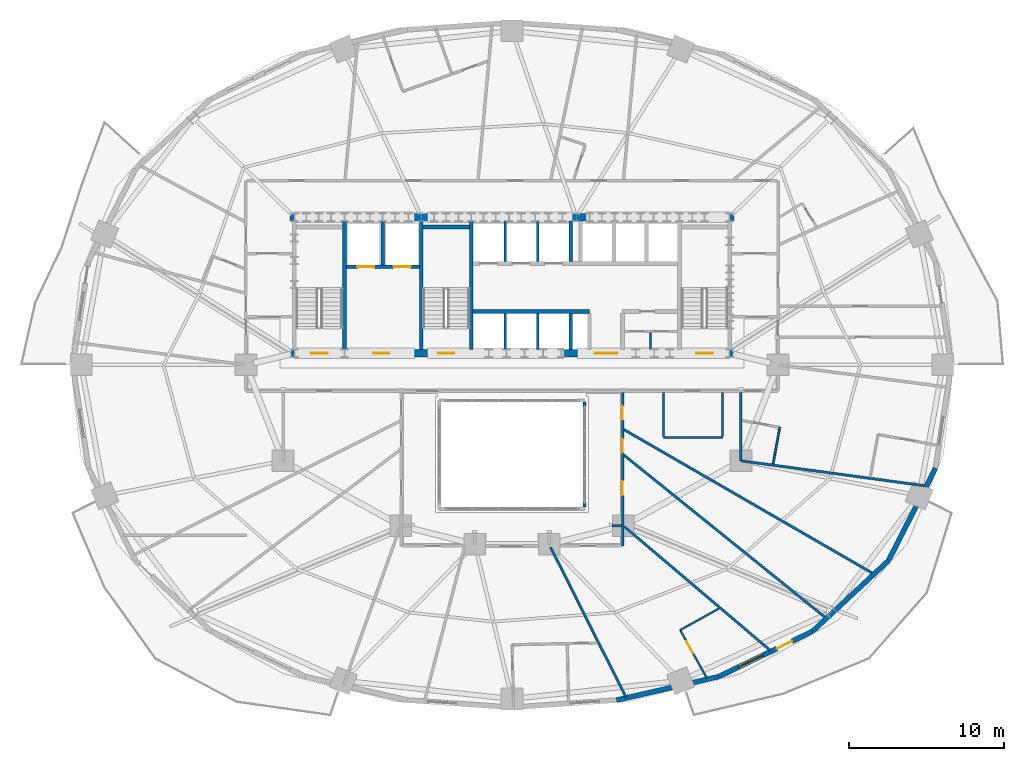
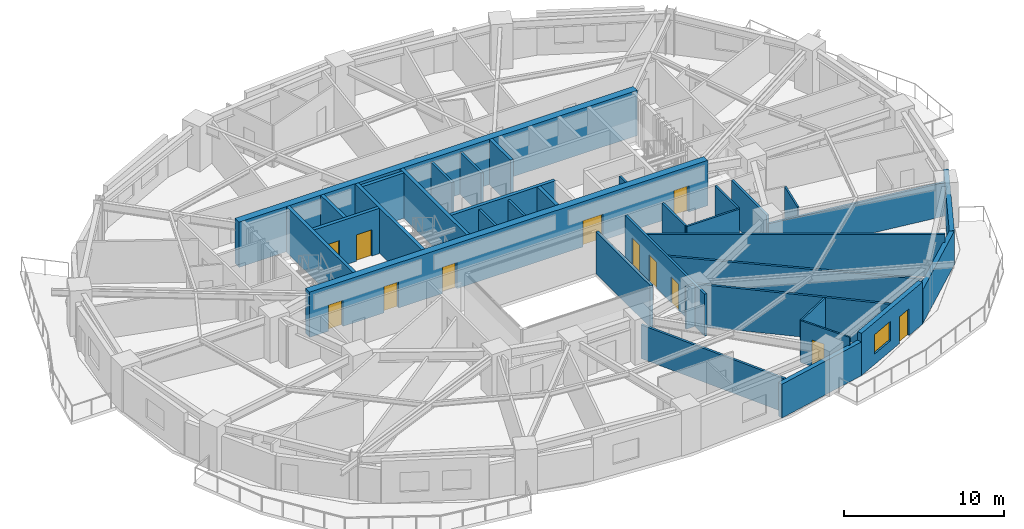
# One storey, part 9 of 15: 35 walls, 12 doors, 1 window, 13 openings.
"""IFC4 building model written with IfcOpenShell, lengths in metres."""

from ifc_helpers import new_model, si_unit, direction, frame, frame_2d, origin, place, context, subcontext, project, spatial, rectangle, extrude, material, layer, layer_set, type_object, element, fill, save


model = new_model("IFC4")

# Units and contexts
model_context = context("Model", 3, precision=1e-05, world=origin(), true_north=direction((0.0, 1.0)))
body_context = subcontext(model_context, "Body", "Model", "MODEL_VIEW")
ifc_project = project(units=[si_unit("LENGTHUNIT", "METRE"), si_unit("AREAUNIT", "SQUARE_METRE"), si_unit("VOLUMEUNIT", "CUBIC_METRE"), si_unit("PLANEANGLEUNIT", "RADIAN"), si_unit("MASSUNIT", "GRAM", prefix="KILO")], contexts=[model_context])

# Site, building, storey
site_placement = place(None, origin())
site = spatial("IfcSite", under=ifc_project, at=site_placement, CompositionType="ELEMENT")
building_placement = place(site_placement, origin())
building = spatial("IfcBuilding", under=site, at=building_placement, Name="Haldorwick Loom Tower", CompositionType="ELEMENT")
storey_placement = place(building_placement, frame((0.0, 0.0, 81.800048828125)))
storey = spatial("IfcBuildingStorey", under=building, at=storey_placement, Name="L21", CompositionType="ELEMENT", Elevation=81.800048828125)

# Wall
ifc_material_1 = material(Name="Pressed Clay Face Brick and Insulated Masonry Backup Assembly", Category="masonry")
ifc_layer_1 = layer(ifc_material_1, 0.320068359375, Name="Pressed Clay Face Brick and Insulated Masonry Backup Assembly", Category="masonry")
ifc_layer_set_1 = layer_set([ifc_layer_1], Name="Pressed Clay Face Brick and Insulated Masonry Backup Assembly")
wall_type_1 = type_object("IfcWallType", Name="ARC-WL-EXT320", PredefinedType="STANDARD", material=ifc_layer_set_1)
wall_1_placement = place(storey_placement, frame((42.757080078125, 4.325439453125, 0.0), z_axis=(0.0, 0.0, 1.0), x_axis=(0.974584177714, 0.224021607329, 0.0)))
element("IfcWall", 1, at=wall_1_placement, inside=storey, type_object=wall_type_1, Name="L21 Brick Pier and Spandrel Wall 20", PredefinedType="STANDARD", context=body_context, shape_type="SweptSolid", body=[
    extrude(rectangle(XDim=6.767822265625, YDim=0.320068359375, at=frame_2d((3.3837890625, 0.0))), origin(), (0.0, 0.0, 1.0), 2.56884765625),
])

# Wall, openings, door, window
wall_2_placement = place(storey_placement, frame((49.352783203125, 5.841552734375, 0.0), z_axis=(0.0, 0.0, 1.0), x_axis=(0.900510094661, 0.434835106004, 0.0)))
wall_2 = element("IfcWall", 2, at=wall_2_placement, inside=storey, type_object=wall_type_1, Name="L21 Brick Pier and Spandrel Wall 21", PredefinedType="STANDARD", context=body_context, shape_type="SweptSolid", body=[
    extrude(rectangle(XDim=6.744873046875, YDim=0.320068359375, at=frame_2d((3.37255859375, 0.0))), origin(), (0.0, 0.0, 1.0), 3.2099609375),
])
opening_1_placement = place(wall_2_placement, frame((4.18359375, 0.0, 0.0)))
opening_1 = element("IfcOpeningElement", 3, at=opening_1_placement, cuts=wall_2, Name="Opening D-BL11", PredefinedType="OPENING", context=body_context, shape_type="SweptSolid", body=[
    extrude(rectangle(XDim=1.080078125, YDim=2.0400390625, at=frame_2d((0.5400390625, 1.02001953125))), frame((0.0, 0.169921875, 0.0), z_axis=(0.0, -1.0, 0.0), x_axis=(1.0, 0.0, 0.0)), (0.0, 0.0, 1.0), 0.340087890625),
])
opening_2_placement = place(wall_2_placement, frame((1.421142578125, 0.0, 0.800048828125)))
opening_2 = element("IfcOpeningElement", 4, at=opening_2_placement, cuts=wall_2, Name="Opening W-01", PredefinedType="OPENING", context=body_context, shape_type="SweptSolid", body=[
    extrude(rectangle(XDim=1.800048828125, YDim=1.47998046875, at=frame_2d((0.89990234375, 0.739990234375))), frame((0.0, 0.169921875, 0.0), z_axis=(0.0, -1.0, 0.0), x_axis=(1.0, 0.0, 0.0)), (0.0, 0.0, 1.0), 0.340087890625),
])
ifc_material_2 = material(Name="Thermally Broken Anodized Aluminium Curtain Wall Framing", Category="aluminium")
door_type_1 = type_object("IfcDoorType", Name="ARC-DR-BAL110", OperationType="NOTDEFINED", PredefinedType="DOOR", material=ifc_material_2)
door_1_placement = place(opening_1_placement, origin())
door_1 = element("IfcDoor", 5, at=door_1_placement, inside=storey, type_object=door_type_1, Name="L21 Outdoor Terrace Door SLB-L21-BAL_SE", OperationType="SINGLE_SWING_LEFT", OverallHeight=2.0400390625, OverallWidth=1.080078125, PredefinedType="DOOR", context=body_context, shape_type="SweptSolid", body=[
    extrude(rectangle(XDim=1.080078125, YDim=2.0400390625, at=frame_2d((0.5400390625, 1.02001953125))), frame((0.0, 0.02490234375, 0.0), z_axis=(0.0, -1.0, 0.0), x_axis=(1.0, 0.0, 0.0)), (0.0, 0.0, 1.0), 0.050048828125),
])
fill(opening_1, door_1)
ifc_material_3 = material(Name="Triple-Glazed Low-E Argon Insulated Glazing Unit", Category="glass")
window_type = type_object("IfcWindowType", Name="ARC-WIN-W180", PartitioningType="SINGLE_PANEL", PredefinedType="WINDOW", material=ifc_material_3)
window_placement = place(opening_2_placement, origin())
window = element("IfcWindow", 6, at=window_placement, inside=storey, type_object=window_type, Name="L21 Deep-Set Zone 7A Window 21", OverallHeight=1.47998046875, OverallWidth=1.800048828125, PartitioningType="SINGLE_PANEL", PredefinedType="WINDOW", context=body_context, shape_type="SweptSolid", body=[
    extrude(rectangle(XDim=1.800048828125, YDim=1.47998046875, at=frame_2d((0.89990234375, 0.739990234375))), frame((0.0, 0.030029296875, 0.0), z_axis=(0.0, -1.0, 0.0), x_axis=(1.0, 0.0, 0.0)), (0.0, 0.0, 1.0), 0.06005859375),
])
fill(opening_2, window)

# Walls
wall_3_placement = place(storey_placement, frame((55.426513671875, 8.7744140625, 0.0), z_axis=(0.0, 0.0, 1.0), x_axis=(0.732137360086, 0.681157020052, 0.0)))
element("IfcWall", 7, at=wall_3_placement, inside=storey, type_object=wall_type_1, Name="L21 Brick Pier and Spandrel Wall 22", PredefinedType="STANDARD", context=body_context, shape_type="SweptSolid", body=[
    extrude(rectangle(XDim=6.709228515625, YDim=0.320068359375, at=frame_2d((3.3544921875, 0.0))), origin(), (0.0, 0.0, 1.0), 2.56884765625),
])
wall_4_placement = place(storey_placement, frame((60.338623046875, 13.344482421875, 0.0), z_axis=(0.0, 0.0, 1.0), x_axis=(0.453374078001, 0.89132033826, 0.0)))
element("IfcWall", 8, at=wall_4_placement, inside=storey, type_object=wall_type_1, Name="L21 Brick Pier and Spandrel Wall 23", PredefinedType="STANDARD", context=body_context, shape_type="SweptSolid", body=[
    extrude(rectangle(XDim=6.709716796875, YDim=0.320068359375, at=frame_2d((3.35498046875, 0.0))), origin(), (0.0, 0.0, 1.0), 2.56884765625),
])

# Wall, openings, doors
ifc_material_4 = material(Name="Fire-Rated Type X Gypsum Stud Assembly EI 60")
ifc_layer_2 = layer(ifc_material_4, 0.159912109375, Name="Fire-Rated Type X Gypsum Stud Assembly EI 60")
ifc_layer_set_2 = layer_set([ifc_layer_2], Name="Fire-Rated Type X Gypsum Stud Assembly EI 60")
wall_type_2 = type_object("IfcWallType", Name="ARC-WL-FIRE160", PredefinedType="PARTITIONING", material=ifc_layer_set_2)
wall_5_placement = place(storey_placement, frame((43.14990234375, 14.300048828125, 0.0), z_axis=(0.0, 0.0, 1.0), x_axis=(0.0, 1.0, 0.0)))
wall_5 = element("IfcWall", 9, at=wall_5_placement, inside=storey, type_object=wall_type_2, Name="L21 Residential Fire Partition L21-CR-AE", PredefinedType="PARTITIONING", context=body_context, shape_type="SweptSolid", body=[
    extrude(rectangle(XDim=9.9169921875, YDim=0.159912109375, at=frame_2d((4.95849609375, 0.0))), origin(), (0.0, 0.0, 1.0), 3.195068359375),
])
opening_3_placement = place(wall_5_placement, frame((3.27880859375, 0.0, 0.0)))
opening_3 = element("IfcOpeningElement", 10, at=opening_3_placement, cuts=wall_5, Name="Opening D-FD60A", PredefinedType="OPENING", context=body_context, shape_type="SweptSolid", body=[
    extrude(rectangle(XDim=0.89990234375, YDim=2.0, at=frame_2d((0.449951171875, 1.0))), frame((0.0, 0.08984375, 0.0), z_axis=(0.0, -1.0, 0.0), x_axis=(1.0, 0.0, 0.0)), (0.0, 0.0, 1.0), 0.179931640625),
])
opening_4_placement = place(wall_5_placement, frame((8.144775390625, 0.0, 0.0)))
opening_4 = element("IfcOpeningElement", 11, at=opening_4_placement, cuts=wall_5, Name="Opening D-FD60A", PredefinedType="OPENING", context=body_context, shape_type="SweptSolid", body=[
    extrude(rectangle(XDim=0.89990234375, YDim=2.0, at=frame_2d((0.449951171875, 1.0))), frame((0.0, 0.08984375, 0.0), z_axis=(0.0, -1.0, 0.0), x_axis=(1.0, 0.0, 0.0)), (0.0, 0.0, 1.0), 0.179931640625),
])
opening_5_placement = place(wall_5_placement, frame((6.021728515625, 0.0, 0.0)))
opening_5 = element("IfcOpeningElement", 12, at=opening_5_placement, cuts=wall_5, Name="Opening D-FD60A", PredefinedType="OPENING", context=body_context, shape_type="SweptSolid", body=[
    extrude(rectangle(XDim=0.89990234375, YDim=2.0, at=frame_2d((0.449951171875, 1.0))), frame((0.0, 0.08984375, 0.0), z_axis=(0.0, -1.0, 0.0), x_axis=(1.0, 0.0, 0.0)), (0.0, 0.0, 1.0), 0.179931640625),
])
ifc_material_5 = material(Name="Hollow Steel Fire Door Assembly", Category="steel")
door_type_2 = type_object("IfcDoorType", Name="ARC-DR-FD60-90", OperationType="NOTDEFINED", PredefinedType="DOOR", material=ifc_material_5)
door_2_placement = place(opening_3_placement, origin())
door_2 = element("IfcDoor", 13, at=door_2_placement, inside=storey, type_object=door_type_2, Name="L21 L21 South Atrium Corridor to Shared Resident Dining Hall 9 Door", OperationType="SINGLE_SWING_RIGHT", OverallHeight=2.0, OverallWidth=0.89990234375, PredefinedType="DOOR", context=body_context, shape_type="SweptSolid", body=[
    extrude(rectangle(XDim=0.89990234375, YDim=2.0, at=frame_2d((0.449951171875, 1.0))), frame((0.0, 0.02490234375, 0.0), z_axis=(0.0, -1.0, 0.0), x_axis=(1.0, 0.0, 0.0)), (0.0, 0.0, 1.0), 0.050048828125),
])
fill(opening_3, door_2)
door_3_placement = place(opening_4_placement, origin())
door_3 = element("IfcDoor", 14, at=door_3_placement, inside=storey, type_object=door_type_2, Name="L21 L21 South Atrium Corridor to Co-Working Office 2 Door", OperationType="SINGLE_SWING_RIGHT", OverallHeight=2.0, OverallWidth=0.89990234375, PredefinedType="DOOR", context=body_context, shape_type="SweptSolid", body=[
    extrude(rectangle(XDim=0.89990234375, YDim=2.0, at=frame_2d((0.449951171875, 1.0))), frame((0.0, 0.02490234375, 0.0), z_axis=(0.0, -1.0, 0.0), x_axis=(1.0, 0.0, 0.0)), (0.0, 0.0, 1.0), 0.050048828125),
])
fill(opening_4, door_3)
door_4_placement = place(opening_5_placement, origin())
door_4 = element("IfcDoor", 15, at=door_4_placement, inside=storey, type_object=door_type_2, Name="L21 L21 South Atrium Corridor to Shared Resident Dining Hall 13 Door", OperationType="SINGLE_SWING_LEFT", OverallHeight=2.0, OverallWidth=0.89990234375, PredefinedType="DOOR", context=body_context, shape_type="SweptSolid", body=[
    extrude(rectangle(XDim=0.89990234375, YDim=2.0, at=frame_2d((0.449951171875, 1.0))), frame((0.0, 0.02490234375, 0.0), z_axis=(0.0, -1.0, 0.0), x_axis=(1.0, 0.0, 0.0)), (0.0, 0.0, 1.0), 0.050048828125),
])
fill(opening_5, door_4)

# Walls
wall_6_placement = place(storey_placement, frame((50.800048828125, 19.800048828125, 0.0), z_axis=(0.0, 0.0, 1.0), x_axis=(0.990914409047, -0.13449399222, 0.0)))
element("IfcWall", 16, at=wall_6_placement, inside=storey, type_object=wall_type_2, Name="L21 Residential Fire Partition L21-ICR-03", PredefinedType="PARTITIONING", context=body_context, shape_type="SweptSolid", body=[
    extrude(rectangle(XDim=12.03515625, YDim=0.159912109375, at=frame_2d((6.017578125, 0.0))), origin(), (0.0, 0.0, 1.0), 2.56787109375),
])
wall_7_placement = place(storey_placement, frame((43.23291015625, 15.572021484375, 0.0), z_axis=(0.0, 0.0, 1.0), x_axis=(0.762606935213, -0.646862166435, 0.0)))
element("IfcWall", 17, at=wall_7_placement, inside=storey, type_object=wall_type_2, Name="L21 Residential Fire Partition L21-ICR-05", PredefinedType="PARTITIONING", context=body_context, shape_type="SweptSolid", body=[
    extrude(rectangle(XDim=12.42578125, YDim=0.159912109375, at=frame_2d((6.212890625, 0.0))), origin(), (0.0, 0.0, 1.0), 3.195068359375),
])
wall_8_placement = place(storey_placement, frame((38.491943359375, 14.217041015625, 0.0), z_axis=(0.0, 0.0, 1.0), x_axis=(0.449158251696, -0.893452217488, 0.0)))
element("IfcWall", 18, at=wall_8_placement, inside=storey, type_object=wall_type_2, Name="L21 Residential Fire Partition L21-ICR-07", PredefinedType="PARTITIONING", context=body_context, shape_type="SweptSolid", body=[
    extrude(rectangle(XDim=10.841064453125, YDim=0.159912109375, at=frame_2d((5.42041015625, 0.0))), origin(), (0.0, 0.0, 1.0), 2.56787109375),
])
wall_9_placement = place(storey_placement, frame((50.800048828125, 24.217041015625, 0.0), z_axis=(0.0, 0.0, 1.0), x_axis=(0.0, -1.0, 0.0)))
element("IfcWall", 19, at=wall_9_placement, inside=storey, type_object=wall_type_2, Name="L21 Residential Fire Partition L21-ICA-02", PredefinedType="PARTITIONING", context=body_context, shape_type="SweptSolid", body=[
    extrude(rectangle(XDim=4.4169921875, YDim=0.159912109375, at=frame_2d((2.20849609375, 0.0))), origin(), (0.0, 0.0, 1.0), 3.195068359375),
])
wall_10_placement = place(storey_placement, frame((42.449951171875, 15.60009765625, 0.0), z_axis=(0.0, 0.0, 1.0), x_axis=(1.0, 0.0, 0.0)))
element("IfcWall", 20, at=wall_10_placement, inside=storey, type_object=wall_type_2, Name="L21 Residential Fire Partition L21-ICA-04", PredefinedType="PARTITIONING", context=body_context, shape_type="SweptSolid", body=[
    extrude(rectangle(XDim=0.616943359375, YDim=0.159912109375, at=frame_2d((0.30859375, 0.0))), origin(), (0.0, 0.0, 1.0), 3.195068359375),
])
wall_11_placement = place(storey_placement, frame((43.23291015625, 21.82080078125, 0.0), z_axis=(0.0, 0.0, 1.0), x_axis=(0.865844235813, -0.500313660927, 0.0)))
element("IfcWall", 21, at=wall_11_placement, inside=storey, type_object=wall_type_2, Name="L21 Suite Split Wall", PredefinedType="PARTITIONING", context=body_context, shape_type="SweptSolid", body=[
    extrude(rectangle(XDim=18.60986328125, YDim=0.159912109375, at=frame_2d((9.304931640625, 0.0))), origin(), (0.0, 0.0, 1.0), 3.195068359375),
])
wall_12_placement = place(storey_placement, frame((43.23291015625, 20.16943359375, 0.0), z_axis=(0.0, 0.0, 1.0), x_axis=(0.77856047963, -0.627569581447, 0.0)))
element("IfcWall", 22, at=wall_12_placement, inside=storey, type_object=wall_type_2, Name="L21 Suite Split Wall", PredefinedType="PARTITIONING", context=body_context, shape_type="SweptSolid", body=[
    extrude(rectangle(XDim=16.754638671875, YDim=0.159912109375, at=frame_2d((8.37744140625, 0.0))), origin(), (0.0, 0.0, 1.0), 2.56787109375),
])
ifc_material_6 = material(Name="Fire-Rated Type X Gypsum Stud Assembly EI 120")
ifc_layer_3 = layer(ifc_material_6, 0.199951171875, Name="Fire-Rated Type X Gypsum Stud Assembly EI 120")
ifc_layer_set_3 = layer_set([ifc_layer_3], Name="Fire-Rated Type X Gypsum Stud Assembly EI 120")
wall_type_3 = type_object("IfcWallType", Name="ARC-WL-FIRE200", PredefinedType="PARTITIONING", material=ifc_layer_set_3)
wall_13_placement = place(storey_placement, frame((40.699951171875, 23.596923828125, 0.0), z_axis=(0.0, 0.0, 1.0), x_axis=(0.0, -1.0, 0.0)))
element("IfcWall", 23, at=wall_13_placement, inside=storey, type_object=wall_type_3, Name="L21 Atrium Fire Enclosure Wall E", PredefinedType="PARTITIONING", context=body_context, shape_type="SweptSolid", body=[
    extrude(rectangle(XDim=6.7939453125, YDim=0.199951171875, at=frame_2d((3.39697265625, 0.0))), origin(), (0.0, 0.0, 1.0), 3.195068359375),
])
ifc_material_7 = material(Name="Acoustic Gypsum Stud Assembly STC 55")
ifc_layer_4 = layer(ifc_material_7, 0.1201171875, Name="Acoustic Gypsum Stud Assembly STC 55")
ifc_layer_set_4 = layer_set([ifc_layer_4], Name="Acoustic Gypsum Stud Assembly STC 55")
wall_type_4 = type_object("IfcWallType", Name="ARC-WL-PART120", PredefinedType="PARTITIONING", material=ifc_layer_set_4)
wall_14_placement = place(storey_placement, frame((46.872314453125, 8.857421875, 0.0), z_axis=(0.0, 0.0, 1.0), x_axis=(0.874341922952, 0.485310417948, 0.0)))
element("IfcWall", 24, at=wall_14_placement, inside=storey, type_object=wall_type_4, Name="L21 Unit 21A Interior Partition", PredefinedType="PARTITIONING", context=body_context, shape_type="SweptSolid", body=[
    extrude(rectangle(XDim=2.867919921875, YDim=0.1201171875, at=frame_2d((1.43408203125, 0.0))), origin(), (0.0, 0.0, 1.0), 3.195068359375),
])

# Wall, opening, door
wall_15_placement = place(storey_placement, frame((46.872314453125, 8.857421875, 0.0), z_axis=(0.0, 0.0, 1.0), x_axis=(0.485236401974, -0.874383002007, 0.0)))
wall_15 = element("IfcWall", 25, at=wall_15_placement, inside=storey, type_object=wall_type_4, Name="L21 Unit 21A Interior Partition", PredefinedType="PARTITIONING", context=body_context, shape_type="SweptSolid", body=[
    extrude(rectangle(XDim=3.56982421875, YDim=0.1201171875, at=frame_2d((1.784912109375, 0.0))), origin(), (0.0, 0.0, 1.0), 3.195068359375),
])
opening_6_placement = place(wall_15_placement, frame((0.8271484375, 0.0, 0.0)))
opening_6 = element("IfcOpeningElement", 26, at=opening_6_placement, cuts=wall_15, Name="Opening D-BT88", PredefinedType="OPENING", context=body_context, shape_type="SweptSolid", body=[
    extrude(rectangle(XDim=0.8798828125, YDim=2.02001953125, at=frame_2d((0.43994140625, 1.010009765625))), frame((0.0, 0.070068359375, 0.0), z_axis=(0.0, -1.0, 0.0), x_axis=(1.0, 0.0, 0.0)), (0.0, 0.0, 1.0), 0.14013671875),
])
ifc_material_8 = material(Name="Solid Core Birch Architectural Door")
door_type_3 = type_object("IfcDoorType", Name="ARC-DR-BATH88", OperationType="NOTDEFINED", PredefinedType="DOOR", material=ifc_material_8)
door_5_placement = place(opening_6_placement, origin())
door_5 = element("IfcDoor", 27, at=door_5_placement, inside=storey, type_object=door_type_3, Name="L21 Unit 21A Bathroom to Unit 21A Kitchen and Studio Living Room Door", OperationType="SINGLE_SWING_RIGHT", OverallHeight=2.02001953125, OverallWidth=0.8798828125, PredefinedType="DOOR", context=body_context, shape_type="SweptSolid", body=[
    extrude(rectangle(XDim=0.8798828125, YDim=2.02001953125, at=frame_2d((0.43994140625, 1.010009765625))), frame((0.0, 0.02490234375, 0.0), z_axis=(0.0, -1.0, 0.0), x_axis=(1.0, 0.0, 0.0)), (0.0, 0.0, 1.0), 0.050048828125),
])
fill(opening_6, door_5)

# Walls
wall_16_placement = place(storey_placement, frame((52.881103515625, 19.601318359375, 0.0), z_axis=(0.0, 0.0, 1.0), x_axis=(0.179243914154, 0.983804665185, 0.0)))
element("IfcWall", 28, at=wall_16_placement, inside=storey, type_object=wall_type_4, Name="L21 Unit 21B Interior Partition", PredefinedType="PARTITIONING", context=body_context, shape_type="SweptSolid", body=[
    extrude(rectangle(XDim=2.397216796875, YDim=0.1201171875, at=frame_2d((1.19873046875, 0.0))), origin(), (0.0, 0.0, 1.0), 3.195068359375),
])
ifc_layer_5 = layer(ifc_material_4, 0.139892578125, Name="Fire-Rated Type X Gypsum Stud Assembly EI 60")
ifc_layer_set_5 = layer_set([ifc_layer_5], Name="Fire-Rated Type X Gypsum Stud Assembly EI 60")
wall_type_5 = type_object("IfcWallType", Name="ARC-WL-PART140", PredefinedType="PARTITIONING", material=ifc_layer_set_5)
wall_17_placement = place(storey_placement, frame((44.949951171875, 27.0029296875, 0.0), z_axis=(0.0, 0.0, 1.0), x_axis=(0.0, 1.0, 0.0)))
element("IfcWall", 29, at=wall_17_placement, inside=storey, type_object=wall_type_5, Name="L21 Metering Sub-Partition", PredefinedType="PARTITIONING", context=body_context, shape_type="SweptSolid", body=[
    extrude(rectangle(XDim=1.083984375, YDim=0.139892578125, at=frame_2d((0.5419921875, 0.0))), origin(), (0.0, 0.0, 1.0), 3.195068359375),
])
wall_18_placement = place(storey_placement, frame((45.800048828125, 21.300048828125, 0.0), z_axis=(0.0, 0.0, 1.0), x_axis=(1.0, 0.0, 0.0)))
element("IfcWall", 30, at=wall_18_placement, inside=storey, type_object=wall_type_5, Name="L21 Residential Fire Partition L21-CWC-S", PredefinedType="PARTITIONING", context=body_context, shape_type="SweptSolid", body=[
    extrude(rectangle(XDim=3.800048828125, YDim=0.139892578125, at=frame_2d((1.89990234375, 0.0))), origin(), (0.0, 0.0, 1.0), 3.195068359375),
])
for number, where, z_axis, x_axis, name in (
    (31, (45.800048828125, 21.373046875, 0.0), (0.0, 0.0, 1.0), (0.0, 1.0, 0.0), "L21 Residential Fire Partition L21-CWC-W"),
    (32, (49.60009765625, 21.373046875, 0.0), (0.0, 0.0, 1.0), (0.0, 1.0, 0.0), "L21 Residential Fire Partition L21-CWC-E"),
):
    element("IfcWall", number, at=place(storey_placement, frame(where, z_axis=z_axis, x_axis=x_axis)), inside=storey, type_object=wall_type_5, Name=name, PredefinedType="PARTITIONING", context=body_context, shape_type="SweptSolid", body=[
        extrude(rectangle(XDim=2.843994140625, YDim=0.139892578125, at=frame_2d((1.421875, 0.0))), origin(), (0.0, 0.0, 1.0), 3.195068359375),
    ])
ifc_layer_6 = layer(ifc_material_6, 0.1650390625, Name="Fire-Rated Type X Gypsum Stud Assembly EI 120")
ifc_layer_set_6 = layer_set([ifc_layer_6], Name="Fire-Rated Type X Gypsum Stud Assembly EI 120")
wall_type_6 = type_object("IfcWallType", Name="ARC-WL-SHAFT160", PredefinedType="MOVABLE", material=ifc_layer_set_6)
for number, where, z_axis, x_axis, name in (
    (33, (35.550048828125, 32.673095703125, 0.0), (0.0, 0.0, 1.0), (0.0, 1.0, 0.0), "L21 Low-Rise Hoistway Divider 1"),
    (34, (37.64990234375, 32.673095703125, 0.0), (0.0, 0.0, 1.0), (0.0, 1.0, 0.0), "L21 Low-Rise Hoistway Divider 2"),
):
    element("IfcWall", number, at=place(storey_placement, frame(where, z_axis=z_axis, x_axis=x_axis)), inside=storey, type_object=wall_type_6, Name=name, PredefinedType="MOVABLE", context=body_context, shape_type="SweptSolid", body=[
        extrude(rectangle(XDim=2.6240234375, YDim=0.159912109375, at=frame_2d((1.31201171875, 0.0))), origin(), (0.0, 0.0, 1.0), 3.195068359375),
    ])
for number, where, z_axis, x_axis, name in (
    (35, (35.550048828125, 27.0029296875, 0.0), (0.0, 0.0, 1.0), (0.0, 1.0, 0.0), "L21 Mid-Rise Hoistway Divider 1"),
    (36, (37.64990234375, 27.0029296875, 0.0), (0.0, 0.0, 1.0), (0.0, 1.0, 0.0), "L21 Mid-Rise Hoistway Divider 2"),
):
    element("IfcWall", number, at=place(storey_placement, frame(where, z_axis=z_axis, x_axis=x_axis)), inside=storey, type_object=wall_type_6, Name=name, PredefinedType="MOVABLE", context=body_context, shape_type="SweptSolid", body=[
        extrude(rectangle(XDim=2.323974609375, YDim=0.159912109375, at=frame_2d((1.162109375, 0.0))), origin(), (0.0, 0.0, 1.0), 3.195068359375),
    ])

# Wall, openings, doors
ifc_material_9 = material(Name="Concrete C60 (60 MPa)", Category="concrete")
ifc_layer_7 = layer(ifc_material_9, 0.5, Name="Concrete C60 (60 MPa)", Category="concrete")
ifc_layer_set_7 = layer_set([ifc_layer_7], Name="Concrete C60 (60 MPa)")
wall_type_7 = type_object("IfcWallType", Name="STR-WL-CORE500", PredefinedType="SHEAR", material=ifc_layer_set_7)
wall_19_placement = place(storey_placement, frame((21.64990234375, 26.75, 0.0), z_axis=(0.0, 0.0, 1.0), x_axis=(1.0, 0.0, 0.0)))
wall_19 = element("IfcWall", 37, at=wall_19_placement, inside=storey, type_object=wall_type_7, Name="L21 Core Shear Wall S", PredefinedType="SHEAR", context=body_context, shape_type="SweptSolid", body=[
    extrude(rectangle(XDim=28.7001953125, YDim=0.5, at=frame_2d((14.35009765625, 0.0))), origin(), (0.0, 0.0, 1.0), 3.449951171875),
])
opening_7_placement = place(wall_19_placement, frame((1.375, 0.0, 0.0)))
opening_7 = element("IfcOpeningElement", 38, at=opening_7_placement, cuts=wall_19, Name="Opening D-FD60", PredefinedType="OPENING", context=body_context, shape_type="SweptSolid", body=[
    extrude(rectangle(XDim=1.050048828125, YDim=2.0, at=frame_2d((0.52490234375, 1.0))), frame((0.0, 0.260009765625, 0.0), z_axis=(0.0, -1.0, 0.0), x_axis=(1.0, 0.0, 0.0)), (0.0, 0.0, 1.0), 0.52001953125),
])
opening_8_placement = place(wall_19_placement, frame((5.375, 0.0, 0.0)))
opening_8 = element("IfcOpeningElement", 39, at=opening_8_placement, cuts=wall_19, Name="Opening D-FD60", PredefinedType="OPENING", context=body_context, shape_type="SweptSolid", body=[
    extrude(rectangle(XDim=1.050048828125, YDim=2.0, at=frame_2d((0.52490234375, 1.0))), frame((0.0, 0.260009765625, 0.0), z_axis=(0.0, -1.0, 0.0), x_axis=(1.0, 0.0, 0.0)), (0.0, 0.0, 1.0), 0.52001953125),
])
opening_9_placement = place(wall_19_placement, frame((9.574951171875, 0.0, 0.0)))
opening_9 = element("IfcOpeningElement", 40, at=opening_9_placement, cuts=wall_19, Name="Opening D-FD60", PredefinedType="OPENING", context=body_context, shape_type="SweptSolid", body=[
    extrude(rectangle(XDim=1.050048828125, YDim=2.0, at=frame_2d((0.52490234375, 1.0))), frame((0.0, 0.260009765625, 0.0), z_axis=(0.0, -1.0, 0.0), x_axis=(1.0, 0.0, 0.0)), (0.0, 0.0, 1.0), 0.52001953125),
])
opening_10_placement = place(wall_19_placement, frame((19.705078125, 0.0, 0.0)))
opening_10 = element("IfcOpeningElement", 41, at=opening_10_placement, cuts=wall_19, Name="Opening D-LB15", PredefinedType="OPENING", context=body_context, shape_type="SweptSolid", body=[
    extrude(rectangle(XDim=1.449951171875, YDim=2.0, at=frame_2d((0.72509765625, 1.0))), frame((0.0, 0.260009765625, 0.0), z_axis=(0.0, -1.0, 0.0), x_axis=(1.0, 0.0, 0.0)), (0.0, 0.0, 1.0), 0.52001953125),
])
opening_11_placement = place(wall_19_placement, frame((26.27490234375, 0.0, 0.0)))
opening_11 = element("IfcOpeningElement", 42, at=opening_11_placement, cuts=wall_19, Name="Opening D-FD60", PredefinedType="OPENING", context=body_context, shape_type="SweptSolid", body=[
    extrude(rectangle(XDim=1.050048828125, YDim=2.0, at=frame_2d((0.52490234375, 1.0))), frame((0.0, 0.260009765625, 0.0), z_axis=(0.0, -1.0, 0.0), x_axis=(1.0, 0.0, 0.0)), (0.0, 0.0, 1.0), 0.52001953125),
])
door_type_4 = type_object("IfcDoorType", Name="ARC-DR-FD60", OperationType="NOTDEFINED", PredefinedType="DOOR", material=ifc_material_5)
door_6_placement = place(opening_7_placement, origin())
door_6 = element("IfcDoor", 43, at=door_6_placement, inside=storey, type_object=door_type_4, Name="L21 Exit Stair ST-01 Fire Door", OperationType="SINGLE_SWING_LEFT", OverallHeight=2.0, OverallWidth=1.050048828125, PredefinedType="DOOR", context=body_context, shape_type="SweptSolid", body=[
    extrude(rectangle(XDim=1.050048828125, YDim=2.0, at=frame_2d((0.52490234375, 1.0))), frame((0.0, 0.02490234375, 0.0), z_axis=(0.0, -1.0, 0.0), x_axis=(1.0, 0.0, 0.0)), (0.0, 0.0, 1.0), 0.050048828125),
])
fill(opening_7, door_6)
door_7_placement = place(opening_8_placement, origin())
door_7 = element("IfcDoor", 44, at=door_7_placement, inside=storey, type_object=door_type_4, Name="L21 Firefighting Lift Lobby Fire Door", OperationType="SINGLE_SWING_RIGHT", OverallHeight=2.0, OverallWidth=1.050048828125, PredefinedType="DOOR", context=body_context, shape_type="SweptSolid", body=[
    extrude(rectangle(XDim=1.050048828125, YDim=2.0, at=frame_2d((0.52490234375, 1.0))), frame((0.0, 0.02490234375, 0.0), z_axis=(0.0, -1.0, 0.0), x_axis=(1.0, 0.0, 0.0)), (0.0, 0.0, 1.0), 0.050048828125),
])
fill(opening_8, door_7)
door_8_placement = place(opening_9_placement, origin())
door_8 = element("IfcDoor", 45, at=door_8_placement, inside=storey, type_object=door_type_4, Name="L21 Exit Stair ST-03 Fire Door", OperationType="SINGLE_SWING_LEFT", OverallHeight=2.0, OverallWidth=1.050048828125, PredefinedType="DOOR", context=body_context, shape_type="SweptSolid", body=[
    extrude(rectangle(XDim=1.050048828125, YDim=2.0, at=frame_2d((0.52490234375, 1.0))), frame((0.0, 0.02490234375, 0.0), z_axis=(0.0, -1.0, 0.0), x_axis=(1.0, 0.0, 0.0)), (0.0, 0.0, 1.0), 0.050048828125),
])
fill(opening_9, door_8)
door_9_placement = place(opening_11_placement, origin())
door_9 = element("IfcDoor", 46, at=door_9_placement, inside=storey, type_object=door_type_4, Name="L21 Exit Stair ST-02 Fire Door", OperationType="SINGLE_SWING_LEFT", OverallHeight=2.0, OverallWidth=1.050048828125, PredefinedType="DOOR", context=body_context, shape_type="SweptSolid", body=[
    extrude(rectangle(XDim=1.050048828125, YDim=2.0, at=frame_2d((0.52490234375, 1.0))), frame((0.0, 0.02490234375, 0.0), z_axis=(0.0, -1.0, 0.0), x_axis=(1.0, 0.0, 0.0)), (0.0, 0.0, 1.0), 0.050048828125),
])
fill(opening_11, door_9)
ifc_material_10 = material(Name="Thermally Broken Anodized Aluminium and Tempered Glass", Category="aluminium")
door_type_5 = type_object("IfcDoorType", Name="ARC-DR-LOB150", OperationType="NOTDEFINED", PredefinedType="DOOR", material=ifc_material_10)
door_10_placement = place(opening_10_placement, frame((1.449951171875, 0.0, 0.0), z_axis=(0.0, 0.0, 1.0), x_axis=(-1.0, 0.0, 0.0)))
door_10 = element("IfcDoor", 47, at=door_10_placement, inside=storey, type_object=door_type_5, Name="L21 Passenger Lift Lobby Fire Door", OperationType="DOUBLE_DOOR_SINGLE_SWING", OverallHeight=2.0, OverallWidth=1.449951171875, PredefinedType="DOOR", context=body_context, shape_type="SweptSolid", body=[
    extrude(rectangle(XDim=1.449951171875, YDim=2.0, at=frame_2d((0.72509765625, 1.0))), frame((0.0, 0.02490234375, 0.0), z_axis=(0.0, -1.0, 0.0), x_axis=(1.0, 0.0, 0.0)), (0.0, 0.0, 1.0), 0.050048828125),
])
fill(opening_10, door_10)

# Walls
wall_20_placement = place(storey_placement, frame((50.35009765625, 35.550048828125, 0.0), z_axis=(0.0, 0.0, 1.0), x_axis=(-1.0, 0.0, 0.0)))
element("IfcWall", 48, at=wall_20_placement, inside=storey, type_object=wall_type_7, Name="L21 Core Shear Wall N", PredefinedType="SHEAR", context=body_context, shape_type="SweptSolid", body=[
    extrude(rectangle(XDim=28.7001953125, YDim=0.5, at=frame_2d((14.35009765625, 0.0))), origin(), (0.0, 0.0, 1.0), 3.449951171875),
])
ifc_material_11 = material(Name="Concrete C50 (50 MPa)", Category="concrete")
ifc_layer_8 = layer(ifc_material_11, 0.239990234375, Name="Concrete C50 (50 MPa)", Category="concrete")
ifc_layer_set_8 = layer_set([ifc_layer_8], Name="Concrete C50 (50 MPa)")
wall_type_8 = type_object("IfcWallType", Name="STR-WL-SHAFT240", PredefinedType="SHEAR", material=ifc_layer_set_8)
for number, where, z_axis, x_axis, name in (
    (49, (25.169921875, 27.0029296875, 0.0), (0.0, 0.0, 1.0), (0.0, 1.0, 0.0), "L21 Core Shear Wall 1"),
    (50, (30.1298828125, 27.0029296875, 0.0), (0.0, 0.0, 1.0), (0.0, 1.0, 0.0), "L21 Core Shear Wall 2"),
    (51, (33.3701171875, 27.0029296875, 0.0), (0.0, 0.0, 1.0), (0.0, 1.0, 0.0), "L21 Core Shear Wall 3"),
):
    element("IfcWall", number, at=place(storey_placement, frame(where, z_axis=z_axis, x_axis=x_axis)), inside=storey, type_object=wall_type_8, Name=name, PredefinedType="SHEAR", context=body_context, shape_type="SweptSolid", body=[
        extrude(rectangle(XDim=8.294189453125, YDim=0.239990234375, at=frame_2d((4.14697265625, 0.0))), origin(), (0.0, 0.0, 1.0), 3.449951171875),
    ])
wall_21_placement = place(storey_placement, frame((30.2529296875, 34.919921875, 0.0), z_axis=(0.0, 0.0, 1.0), x_axis=(1.0, 0.0, 0.0)))
element("IfcWall", 52, at=wall_21_placement, inside=storey, type_object=wall_type_8, Name="L21 Core Shear Wall 3N", PredefinedType="SHEAR", context=body_context, shape_type="SweptSolid", body=[
    extrude(rectangle(XDim=2.994140625, YDim=0.239990234375, at=frame_2d((1.4970703125, 0.0))), origin(), (0.0, 0.0, 1.0), 3.449951171875),
])

# Wall, openings, doors
wall_22_placement = place(storey_placement, frame((25.29296875, 32.35009765625, 0.0), z_axis=(0.0, 0.0, 1.0), x_axis=(1.0, 0.0, 0.0)))
wall_22 = element("IfcWall", 53, at=wall_22_placement, inside=storey, type_object=wall_type_8, Name="L21 Core Shear Wall FF", PredefinedType="SHEAR", context=body_context, shape_type="SweptSolid", body=[
    extrude(rectangle(XDim=4.714111328125, YDim=0.239990234375, at=frame_2d((2.35693359375, 0.0))), origin(), (0.0, 0.0, 1.0), 3.449951171875),
])
opening_12_placement = place(wall_22_placement, frame((0.70703125, 0.0, 0.0)))
opening_12 = element("IfcOpeningElement", 54, at=opening_12_placement, cuts=wall_22, Name="Opening LD-FF1", PredefinedType="OPENING", context=body_context, shape_type="SweptSolid", body=[
    extrude(rectangle(XDim=1.10009765625, YDim=2.0, at=frame_2d((0.550048828125, 1.0))), frame((0.0, 0.1298828125, 0.0), z_axis=(0.0, -1.0, 0.0), x_axis=(1.0, 0.0, 0.0)), (0.0, 0.0, 1.0), 0.260009765625),
])
opening_13_placement = place(wall_22_placement, frame((3.056884765625, 0.0, 0.0)))
opening_13 = element("IfcOpeningElement", 55, at=opening_13_placement, cuts=wall_22, Name="Opening LD-FF2", PredefinedType="OPENING", context=body_context, shape_type="SweptSolid", body=[
    extrude(rectangle(XDim=1.10009765625, YDim=2.0, at=frame_2d((0.550048828125, 1.0))), frame((0.0, 0.1298828125, 0.0), z_axis=(0.0, -1.0, 0.0), x_axis=(1.0, 0.0, 0.0)), (0.0, 0.0, 1.0), 0.260009765625),
])
door_type_6 = type_object("IfcDoorType", Name="ARC-DR-LD-FF", OperationType="NOTDEFINED", PredefinedType="USERDEFINED", material=ifc_material_5)
door_11_placement = place(opening_12_placement, origin())
door_11 = element("IfcDoor", 56, at=door_11_placement, inside=storey, type_object=door_type_6, Name="L21 Lift LF-FF1 Sliding Landing Door", ObjectType="LANDING DOOR", OperationType="DOUBLE_DOOR_SLIDING", OverallHeight=2.0, OverallWidth=1.10009765625, PredefinedType="USERDEFINED", context=body_context, shape_type="SweptSolid", body=[
    extrude(rectangle(XDim=1.10009765625, YDim=2.0, at=frame_2d((0.550048828125, 1.0))), frame((0.0, 0.02490234375, 0.0), z_axis=(0.0, -1.0, 0.0), x_axis=(1.0, 0.0, 0.0)), (0.0, 0.0, 1.0), 0.050048828125),
])
fill(opening_12, door_11)
door_12_placement = place(opening_13_placement, origin())
door_12 = element("IfcDoor", 57, at=door_12_placement, inside=storey, type_object=door_type_6, Name="L21 Lift LF-FF2 Sliding Landing Door", ObjectType="LANDING DOOR", OperationType="DOUBLE_DOOR_SLIDING", OverallHeight=2.0, OverallWidth=1.10009765625, PredefinedType="USERDEFINED", context=body_context, shape_type="SweptSolid", body=[
    extrude(rectangle(XDim=1.10009765625, YDim=2.0, at=frame_2d((0.550048828125, 1.0))), frame((0.0, 0.02490234375, 0.0), z_axis=(0.0, -1.0, 0.0), x_axis=(1.0, 0.0, 0.0)), (0.0, 0.0, 1.0), 0.050048828125),
])
fill(opening_13, door_12)

# Walls
wall_23_placement = place(storey_placement, frame((27.64990234375, 32.472900390625, 0.0), z_axis=(0.0, 0.0, 1.0), x_axis=(0.0, 1.0, 0.0)))
element("IfcWall", 58, at=wall_23_placement, inside=storey, type_object=wall_type_8, Name="L21 Core Shear Wall FFD", PredefinedType="SHEAR", context=body_context, shape_type="SweptSolid", body=[
    extrude(rectangle(XDim=2.82421875, YDim=0.239990234375, at=frame_2d((1.412109375, 0.0))), origin(), (0.0, 0.0, 1.0), 3.449951171875),
])
wall_24_placement = place(storey_placement, frame((33.492919921875, 29.449951171875, 0.0), z_axis=(0.0, 0.0, 1.0), x_axis=(1.0, 0.0, 0.0)))
element("IfcWall", 59, at=wall_24_placement, inside=storey, type_object=wall_type_8, Name="L21 Core Shear Wall LS1", PredefinedType="SHEAR", context=body_context, shape_type="SweptSolid", body=[
    extrude(rectangle(XDim=7.507080078125, YDim=0.239990234375, at=frame_2d((3.75341796875, 0.0))), origin(), (0.0, 0.0, 1.0), 3.449951171875),
])
wall_25_placement = place(storey_placement, frame((39.800048828125, 32.673095703125, 0.0), z_axis=(0.0, 0.0, 1.0), x_axis=(0.0, 1.0, 0.0)))
element("IfcWall", 60, at=wall_25_placement, inside=storey, type_object=wall_type_8, Name="L21 Core Shear Wall LHW", PredefinedType="SHEAR", context=body_context, shape_type="SweptSolid", body=[
    extrude(rectangle(XDim=2.6240234375, YDim=0.239990234375, at=frame_2d((1.31201171875, 0.0))), origin(), (0.0, 0.0, 1.0), 3.449951171875),
])
wall_26_placement = place(storey_placement, frame((39.800048828125, 27.0029296875, 0.0), z_axis=(0.0, 0.0, 1.0), x_axis=(0.0, 1.0, 0.0)))
element("IfcWall", 61, at=wall_26_placement, inside=storey, type_object=wall_type_8, Name="L21 Core Shear Wall MRW", PredefinedType="SHEAR", context=body_context, shape_type="SweptSolid", body=[
    extrude(rectangle(XDim=2.323974609375, YDim=0.239990234375, at=frame_2d((1.162109375, 0.0))), origin(), (0.0, 0.0, 1.0), 3.449951171875),
])

save(model, "model.ifc")
